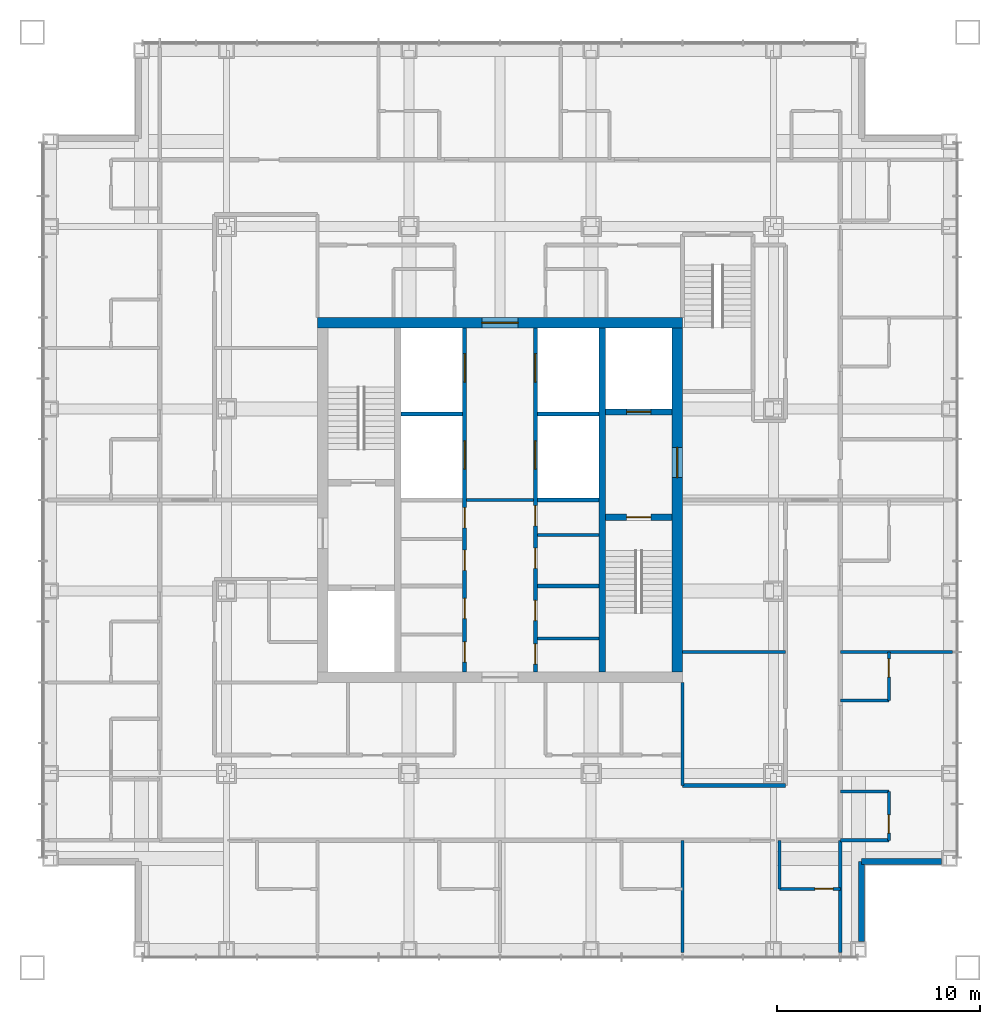
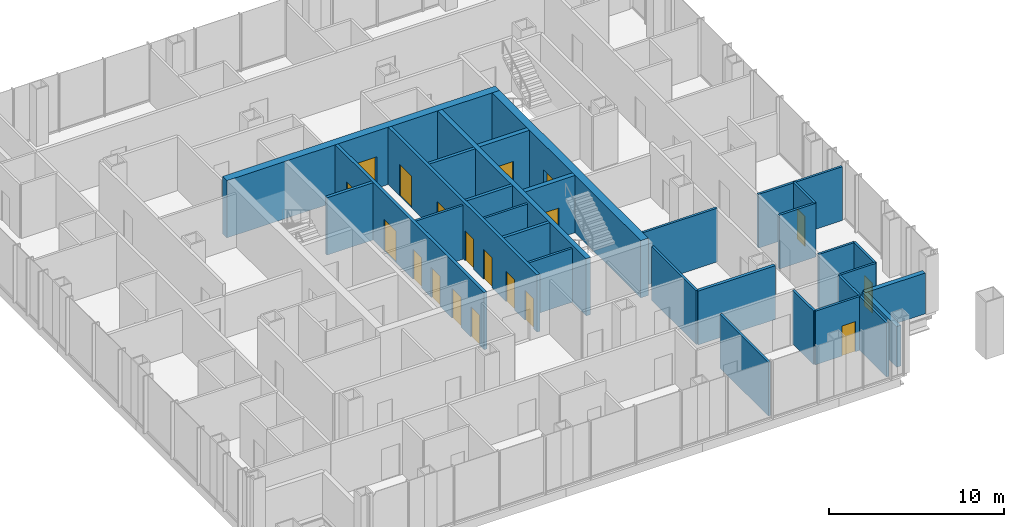
# One storey, part 8 of 11: 29 walls, 19 doors, 19 openings.
"""IFC4 building model written with IfcOpenShell, lengths in metres."""

from ifc_helpers import new_model, si_unit, direction, frame, frame_2d, origin, place, context, subcontext, project, spatial, rectangle, extrude, material, layer, layer_set, type_object, element, fill, save


model = new_model("IFC4")

# Units and contexts
model_context = context("Model", 3, precision=1e-05, world=origin(), true_north=direction((0.0, 1.0)))
body_context = subcontext(model_context, "Body", "Model", "MODEL_VIEW")
ifc_project = project(units=[si_unit("LENGTHUNIT", "METRE"), si_unit("AREAUNIT", "SQUARE_METRE"), si_unit("VOLUMEUNIT", "CUBIC_METRE"), si_unit("PLANEANGLEUNIT", "RADIAN"), si_unit("MASSUNIT", "GRAM", prefix="KILO")], contexts=[model_context])

# Site, building, storey
site_placement = place(None, origin())
site = spatial("IfcSite", under=ifc_project, at=site_placement, CompositionType="ELEMENT")
building_placement = place(site_placement, origin())
building = spatial("IfcBuilding", under=site, at=building_placement, Name="Malebo Sky Hospital", CompositionType="ELEMENT")
storey_placement = place(building_placement, frame((0.0, 0.0, 213.0)))
storey = spatial("IfcBuildingStorey", under=building, at=storey_placement, Name="L51", CompositionType="ELEMENT", Elevation=213.0)

# Wall, openings, doors
ifc_material_1 = material(Name="Concrete C80/95", Category="concrete")
ifc_layer_1 = layer(ifc_material_1, 0.199951171875)
ifc_layer_set_1 = layer_set([ifc_layer_1], Name="CORE INNER WALL 200")
wall_type_1 = type_object("IfcWallType", Name="CORE INNER WALL 200", PredefinedType="SHEAR", material=ifc_layer_set_1)
wall_1_placement = place(storey_placement, frame((58.25, 53.5, 0.0), z_axis=(0.0, 0.0, 1.0), x_axis=(0.0, 1.0, 0.0)))
wall_1 = element("IfcWall", 1, at=wall_1_placement, inside=storey, type_object=wall_type_1, Name="Core wall LW L51", PredefinedType="SHEAR", context=body_context, shape_type="SweptSolid", body=[
    extrude(rectangle(XDim=17.0, YDim=0.199951171875, at=frame_2d((8.5, 0.0))), origin(), (0.0, 0.0, 1.0), 4.0),
])
opening_1_placement = place(wall_1_placement, frame((0.49609375, 0.0, 0.0)))
opening_1 = element("IfcOpeningElement", 2, at=opening_1_placement, cuts=wall_1, Name="Opening D17", PredefinedType="OPENING", context=body_context, shape_type="SweptSolid", body=[
    extrude(rectangle(XDim=1.0, YDim=2.10009765625, at=frame_2d((0.5, 1.050048828125))), frame((0.0, 0.10986328125, 0.0), z_axis=(0.0, -1.0, 0.0), x_axis=(1.0, 0.0, 0.0)), (0.0, 0.0, 1.0), 0.219970703125),
])
opening_2_placement = place(wall_1_placement, frame((2.64599609375, 0.0, 0.0)))
opening_2 = element("IfcOpeningElement", 3, at=opening_2_placement, cuts=wall_1, Name="Opening D17", PredefinedType="OPENING", context=body_context, shape_type="SweptSolid", body=[
    extrude(rectangle(XDim=1.0, YDim=2.10009765625, at=frame_2d((0.5, 1.050048828125))), frame((0.0, 0.10986328125, 0.0), z_axis=(0.0, -1.0, 0.0), x_axis=(1.0, 0.0, 0.0)), (0.0, 0.0, 1.0), 0.219970703125),
])
opening_3_placement = place(wall_1_placement, frame((5.026611328125, 0.0, 0.0)))
opening_3 = element("IfcOpeningElement", 4, at=opening_3_placement, cuts=wall_1, Name="Opening D17", PredefinedType="OPENING", context=body_context, shape_type="SweptSolid", body=[
    extrude(rectangle(XDim=1.0, YDim=2.10009765625, at=frame_2d((0.5, 1.050048828125))), frame((0.0, 0.10986328125, 0.0), z_axis=(0.0, -1.0, 0.0), x_axis=(1.0, 0.0, 0.0)), (0.0, 0.0, 1.0), 0.219970703125),
])
opening_4_placement = place(wall_1_placement, frame((7.12646484375, 0.0, 0.0)))
opening_4 = element("IfcOpeningElement", 5, at=opening_4_placement, cuts=wall_1, Name="Opening D17", PredefinedType="OPENING", context=body_context, shape_type="SweptSolid", body=[
    extrude(rectangle(XDim=1.0, YDim=2.10009765625, at=frame_2d((0.5, 1.050048828125))), frame((0.0, 0.10986328125, 0.0), z_axis=(0.0, -1.0, 0.0), x_axis=(1.0, 0.0, 0.0)), (0.0, 0.0, 1.0), 0.219970703125),
])
opening_5_placement = place(wall_1_placement, frame((10.02490234375, 0.0, 0.0)))
opening_5 = element("IfcOpeningElement", 6, at=opening_5_placement, cuts=wall_1, Name="Opening LD1", PredefinedType="OPENING", context=body_context, shape_type="SweptSolid", body=[
    extrude(rectangle(XDim=1.39990234375, YDim=2.199951171875, at=frame_2d((0.699951171875, 1.10009765625))), frame((0.0, 0.10986328125, 0.0), z_axis=(0.0, -1.0, 0.0), x_axis=(1.0, 0.0, 0.0)), (0.0, 0.0, 1.0), 0.219970703125),
])
opening_6_placement = place(wall_1_placement, frame((14.324951171875, 0.0, 0.0)))
opening_6 = element("IfcOpeningElement", 7, at=opening_6_placement, cuts=wall_1, Name="Opening LD1", PredefinedType="OPENING", context=body_context, shape_type="SweptSolid", body=[
    extrude(rectangle(XDim=1.39990234375, YDim=2.199951171875, at=frame_2d((0.699951171875, 1.10009765625))), frame((0.0, 0.10986328125, 0.0), z_axis=(0.0, -1.0, 0.0), x_axis=(1.0, 0.0, 0.0)), (0.0, 0.0, 1.0), 0.219970703125),
])
ifc_material_2 = material(Name="Hardwood-faced door leaf in steel frame", Category="steel")
door_type_1 = type_object("IfcDoorType", Name="FIRE DOOR 1000", OperationType="SINGLE_SWING_LEFT", PredefinedType="DOOR", material=ifc_material_2)
door_1_placement = place(opening_1_placement, origin())
door_1 = element("IfcDoor", 8, at=door_1_placement, inside=storey, type_object=door_type_1, Name="Linen store door", OperationType="SINGLE_SWING_RIGHT", OverallHeight=2.10009765625, OverallWidth=1.0, PredefinedType="DOOR", context=body_context, shape_type="SweptSolid", body=[
    extrude(rectangle(XDim=1.0, YDim=2.10009765625, at=frame_2d((0.5, 1.050048828125))), frame((0.0, 0.02490234375, 0.0), z_axis=(0.0, -1.0, 0.0), x_axis=(1.0, 0.0, 0.0)), (0.0, 0.0, 1.0), 0.050048828125),
])
fill(opening_1, door_1)
door_2_placement = place(opening_2_placement, origin())
door_2 = element("IfcDoor", 9, at=door_2_placement, inside=storey, type_object=door_type_1, Name="Supplies store door", OperationType="SINGLE_SWING_RIGHT", OverallHeight=2.10009765625, OverallWidth=1.0, PredefinedType="DOOR", context=body_context, shape_type="SweptSolid", body=[
    extrude(rectangle(XDim=1.0, YDim=2.10009765625, at=frame_2d((0.5, 1.050048828125))), frame((0.0, 0.02490234375, 0.0), z_axis=(0.0, -1.0, 0.0), x_axis=(1.0, 0.0, 0.0)), (0.0, 0.0, 1.0), 0.050048828125),
])
fill(opening_2, door_2)
door_3_placement = place(opening_3_placement, origin())
door_3 = element("IfcDoor", 10, at=door_3_placement, inside=storey, type_object=door_type_1, Name="Mattress store door", OperationType="SINGLE_SWING_RIGHT", OverallHeight=2.10009765625, OverallWidth=1.0, PredefinedType="DOOR", context=body_context, shape_type="SweptSolid", body=[
    extrude(rectangle(XDim=1.0, YDim=2.10009765625, at=frame_2d((0.5, 1.050048828125))), frame((0.0, 0.02490234375, 0.0), z_axis=(0.0, -1.0, 0.0), x_axis=(1.0, 0.0, 0.0)), (0.0, 0.0, 1.0), 0.050048828125),
])
fill(opening_3, door_3)
door_4_placement = place(opening_4_placement, origin())
door_4 = element("IfcDoor", 11, at=door_4_placement, inside=storey, type_object=door_type_1, Name="Cleaning equipment store door", OperationType="SINGLE_SWING_RIGHT", OverallHeight=2.10009765625, OverallWidth=1.0, PredefinedType="DOOR", context=body_context, shape_type="SweptSolid", body=[
    extrude(rectangle(XDim=1.0, YDim=2.10009765625, at=frame_2d((0.5, 1.050048828125))), frame((0.0, 0.02490234375, 0.0), z_axis=(0.0, -1.0, 0.0), x_axis=(1.0, 0.0, 0.0)), (0.0, 0.0, 1.0), 0.050048828125),
])
fill(opening_4, door_4)
ifc_material_3 = material(Name="Stainless steel sliding landing door", Category="steel")
door_type_2 = type_object("IfcDoorType", Name="LIFT LANDING DOOR 1400", OperationType="SLIDING_TO_LEFT", PredefinedType="DOOR", material=ifc_material_3)
door_5_placement = place(opening_5_placement, origin())
door_5 = element("IfcDoor", 12, at=door_5_placement, inside=storey, type_object=door_type_2, Name="Lift W3 landing door", OperationType="SLIDING_TO_LEFT", OverallHeight=2.199951171875, OverallWidth=1.39990234375, PredefinedType="DOOR", context=body_context, shape_type="SweptSolid", body=[
    extrude(rectangle(XDim=1.39990234375, YDim=2.199951171875, at=frame_2d((0.699951171875, 1.10009765625))), frame((0.0, 0.02490234375, 0.0), z_axis=(0.0, -1.0, 0.0), x_axis=(1.0, 0.0, 0.0)), (0.0, 0.0, 1.0), 0.050048828125),
])
fill(opening_5, door_5)
door_6_placement = place(opening_6_placement, origin())
door_6 = element("IfcDoor", 13, at=door_6_placement, inside=storey, type_object=door_type_2, Name="Lift W4 landing door", OperationType="SLIDING_TO_LEFT", OverallHeight=2.199951171875, OverallWidth=1.39990234375, PredefinedType="DOOR", context=body_context, shape_type="SweptSolid", body=[
    extrude(rectangle(XDim=1.39990234375, YDim=2.199951171875, at=frame_2d((0.699951171875, 1.10009765625))), frame((0.0, 0.02490234375, 0.0), z_axis=(0.0, -1.0, 0.0), x_axis=(1.0, 0.0, 0.0)), (0.0, 0.0, 1.0), 0.050048828125),
])
fill(opening_6, door_6)

wall_2_placement = place(storey_placement, frame((61.75, 53.5, 0.0), z_axis=(0.0, 0.0, 1.0), x_axis=(0.0, 1.0, 0.0)))
wall_2 = element("IfcWall", 14, at=wall_2_placement, inside=storey, type_object=wall_type_1, Name="Core wall LE L51", PredefinedType="SHEAR", context=body_context, shape_type="SweptSolid", body=[
    extrude(rectangle(XDim=17.0, YDim=0.199951171875, at=frame_2d((8.5, 0.0))), origin(), (0.0, 0.0, 1.0), 4.0),
])
opening_7_placement = place(wall_2_placement, frame((0.392578125, 0.0, 0.0)))
opening_7 = element("IfcOpeningElement", 15, at=opening_7_placement, cuts=wall_2, Name="Opening D17", PredefinedType="OPENING", context=body_context, shape_type="SweptSolid", body=[
    extrude(rectangle(XDim=1.0, YDim=2.10009765625, at=frame_2d((0.5, 1.050048828125))), frame((0.0, 0.10986328125, 0.0), z_axis=(0.0, -1.0, 0.0), x_axis=(1.0, 0.0, 0.0)), (0.0, 0.0, 1.0), 0.219970703125),
])
opening_8_placement = place(wall_2_placement, frame((2.54248046875, 0.0, 0.0)))
opening_8 = element("IfcOpeningElement", 16, at=opening_8_placement, cuts=wall_2, Name="Opening D17", PredefinedType="OPENING", context=body_context, shape_type="SweptSolid", body=[
    extrude(rectangle(XDim=1.0, YDim=2.10009765625, at=frame_2d((0.5, 1.050048828125))), frame((0.0, 0.10986328125, 0.0), z_axis=(0.0, -1.0, 0.0), x_axis=(1.0, 0.0, 0.0)), (0.0, 0.0, 1.0), 0.219970703125),
])
opening_9_placement = place(wall_2_placement, frame((5.12744140625, 0.0, 0.0)))
opening_9 = element("IfcOpeningElement", 17, at=opening_9_placement, cuts=wall_2, Name="Opening D17", PredefinedType="OPENING", context=body_context, shape_type="SweptSolid", body=[
    extrude(rectangle(XDim=1.0, YDim=2.10009765625, at=frame_2d((0.5, 1.050048828125))), frame((0.0, 0.10986328125, 0.0), z_axis=(0.0, -1.0, 0.0), x_axis=(1.0, 0.0, 0.0)), (0.0, 0.0, 1.0), 0.219970703125),
])
opening_10_placement = place(wall_2_placement, frame((7.2275390625, 0.0, 0.0)))
opening_10 = element("IfcOpeningElement", 18, at=opening_10_placement, cuts=wall_2, Name="Opening D17", PredefinedType="OPENING", context=body_context, shape_type="SweptSolid", body=[
    extrude(rectangle(XDim=1.0, YDim=2.10009765625, at=frame_2d((0.5, 1.050048828125))), frame((0.0, 0.10986328125, 0.0), z_axis=(0.0, -1.0, 0.0), x_axis=(1.0, 0.0, 0.0)), (0.0, 0.0, 1.0), 0.219970703125),
])
opening_11_placement = place(wall_2_placement, frame((10.02490234375, 0.0, 0.0)))
opening_11 = element("IfcOpeningElement", 19, at=opening_11_placement, cuts=wall_2, Name="Opening LD1", PredefinedType="OPENING", context=body_context, shape_type="SweptSolid", body=[
    extrude(rectangle(XDim=1.39990234375, YDim=2.199951171875, at=frame_2d((0.699951171875, 1.10009765625))), frame((0.0, 0.10986328125, 0.0), z_axis=(0.0, -1.0, 0.0), x_axis=(1.0, 0.0, 0.0)), (0.0, 0.0, 1.0), 0.219970703125),
])
opening_12_placement = place(wall_2_placement, frame((14.324951171875, 0.0, 0.0)))
opening_12 = element("IfcOpeningElement", 20, at=opening_12_placement, cuts=wall_2, Name="Opening LD1", PredefinedType="OPENING", context=body_context, shape_type="SweptSolid", body=[
    extrude(rectangle(XDim=1.39990234375, YDim=2.199951171875, at=frame_2d((0.699951171875, 1.10009765625))), frame((0.0, 0.10986328125, 0.0), z_axis=(0.0, -1.0, 0.0), x_axis=(1.0, 0.0, 0.0)), (0.0, 0.0, 1.0), 0.219970703125),
])
door_7_placement = place(opening_7_placement, origin())
door_7 = element("IfcDoor", 21, at=door_7_placement, inside=storey, type_object=door_type_1, Name="Archive store door", OperationType="SINGLE_SWING_RIGHT", OverallHeight=2.10009765625, OverallWidth=1.0, PredefinedType="DOOR", context=body_context, shape_type="SweptSolid", body=[
    extrude(rectangle(XDim=1.0, YDim=2.10009765625, at=frame_2d((0.5, 1.050048828125))), frame((0.0, 0.02490234375, 0.0), z_axis=(0.0, -1.0, 0.0), x_axis=(1.0, 0.0, 0.0)), (0.0, 0.0, 1.0), 0.050048828125),
])
fill(opening_7, door_7)
door_8_placement = place(opening_8_placement, origin())
door_8 = element("IfcDoor", 22, at=door_8_placement, inside=storey, type_object=door_type_1, Name="General store door", OperationType="SINGLE_SWING_RIGHT", OverallHeight=2.10009765625, OverallWidth=1.0, PredefinedType="DOOR", context=body_context, shape_type="SweptSolid", body=[
    extrude(rectangle(XDim=1.0, YDim=2.10009765625, at=frame_2d((0.5, 1.050048828125))), frame((0.0, 0.02490234375, 0.0), z_axis=(0.0, -1.0, 0.0), x_axis=(1.0, 0.0, 0.0)), (0.0, 0.0, 1.0), 0.050048828125),
])
fill(opening_8, door_8)
door_9_placement = place(opening_9_placement, origin())
door_9 = element("IfcDoor", 23, at=door_9_placement, inside=storey, type_object=door_type_1, Name="Records store door", OperationType="SINGLE_SWING_RIGHT", OverallHeight=2.10009765625, OverallWidth=1.0, PredefinedType="DOOR", context=body_context, shape_type="SweptSolid", body=[
    extrude(rectangle(XDim=1.0, YDim=2.10009765625, at=frame_2d((0.5, 1.050048828125))), frame((0.0, 0.02490234375, 0.0), z_axis=(0.0, -1.0, 0.0), x_axis=(1.0, 0.0, 0.0)), (0.0, 0.0, 1.0), 0.050048828125),
])
fill(opening_9, door_9)
door_10_placement = place(opening_10_placement, origin())
door_10 = element("IfcDoor", 24, at=door_10_placement, inside=storey, type_object=door_type_1, Name="Equipment store door", OperationType="SINGLE_SWING_RIGHT", OverallHeight=2.10009765625, OverallWidth=1.0, PredefinedType="DOOR", context=body_context, shape_type="SweptSolid", body=[
    extrude(rectangle(XDim=1.0, YDim=2.10009765625, at=frame_2d((0.5, 1.050048828125))), frame((0.0, 0.02490234375, 0.0), z_axis=(0.0, -1.0, 0.0), x_axis=(1.0, 0.0, 0.0)), (0.0, 0.0, 1.0), 0.050048828125),
])
fill(opening_10, door_10)
door_11_placement = place(opening_11_placement, origin())
door_11 = element("IfcDoor", 25, at=door_11_placement, inside=storey, type_object=door_type_2, Name="Lift E3 landing door", OperationType="SLIDING_TO_LEFT", OverallHeight=2.199951171875, OverallWidth=1.39990234375, PredefinedType="DOOR", context=body_context, shape_type="SweptSolid", body=[
    extrude(rectangle(XDim=1.39990234375, YDim=2.199951171875, at=frame_2d((0.699951171875, 1.10009765625))), frame((0.0, 0.02490234375, 0.0), z_axis=(0.0, -1.0, 0.0), x_axis=(1.0, 0.0, 0.0)), (0.0, 0.0, 1.0), 0.050048828125),
])
fill(opening_11, door_11)
door_12_placement = place(opening_12_placement, origin())
door_12 = element("IfcDoor", 26, at=door_12_placement, inside=storey, type_object=door_type_2, Name="Lift E4 landing door", OperationType="SLIDING_TO_LEFT", OverallHeight=2.199951171875, OverallWidth=1.39990234375, PredefinedType="DOOR", context=body_context, shape_type="SweptSolid", body=[
    extrude(rectangle(XDim=1.39990234375, YDim=2.199951171875, at=frame_2d((0.699951171875, 1.10009765625))), frame((0.0, 0.02490234375, 0.0), z_axis=(0.0, -1.0, 0.0), x_axis=(1.0, 0.0, 0.0)), (0.0, 0.0, 1.0), 0.050048828125),
])
fill(opening_12, door_12)

# Walls
for number, where, z_axis, x_axis, name in (
    (27, (61.85009765625, 57.75, 0.0), (0.0, 0.0, 1.0), (1.0, 0.0, 0.0), "Core wall SE0 L51"),
    (28, (61.85009765625, 62.0, 0.0), (0.0, 0.0, 1.0), (1.0, 0.0, 0.0), "Core wall SE1 L51"),
    (29, (55.10009765625, 66.25, 0.0), (0.0, 0.0, 1.0), (1.0, 0.0, 0.0), "Core wall SW2 L51"),
    (30, (61.85009765625, 66.25, 0.0), (0.0, 0.0, 1.0), (1.0, 0.0, 0.0), "Core wall SE2 L51"),
):
    element("IfcWall", number, at=place(storey_placement, frame(where, z_axis=z_axis, x_axis=x_axis)), inside=storey, type_object=wall_type_1, Name=name, PredefinedType="SHEAR", context=body_context, shape_type="SweptSolid", body=[
        extrude(rectangle(XDim=3.0498046875, YDim=0.199951171875, at=frame_2d((1.52490234375, 0.0))), origin(), (0.0, 0.0, 1.0), 4.0),
    ])
ifc_layer_2 = layer(ifc_material_1, 0.300048828125)
ifc_layer_set_2 = layer_set([ifc_layer_2], Name="CORE INNER WALL 300")
wall_type_2 = type_object("IfcWallType", Name="CORE INNER WALL 300", PredefinedType="SHEAR", material=ifc_layer_set_2)
wall_3_placement = place(storey_placement, frame((65.050048828125, 53.5, 0.0), z_axis=(0.0, 0.0, 1.0), x_axis=(0.0, 1.0, 0.0)))
element("IfcWall", 31, at=wall_3_placement, inside=storey, type_object=wall_type_2, Name="Core wall XE L51", PredefinedType="SHEAR", context=body_context, shape_type="SweptSolid", body=[
    extrude(rectangle(XDim=17.0, YDim=0.300048828125, at=frame_2d((8.5, 0.0))), origin(), (0.0, 0.0, 1.0), 4.0),
])

# Wall, opening, door
wall_4_placement = place(storey_placement, frame((65.199951171875, 61.14990234375, 0.0), z_axis=(0.0, 0.0, 1.0), x_axis=(1.0, 0.0, 0.0)))
wall_4 = element("IfcWall", 32, at=wall_4_placement, inside=storey, type_object=wall_type_2, Name="Core wall E1 L51", PredefinedType="SHEAR", context=body_context, shape_type="SweptSolid", body=[
    extrude(rectangle(XDim=3.300048828125, YDim=0.300048828125, at=frame_2d((1.64990234375, 0.0))), origin(), (0.0, 0.0, 1.0), 4.0),
])
opening_13_placement = place(wall_4_placement, frame((1.050048828125, 0.0, 0.0)))
opening_13 = element("IfcOpeningElement", 33, at=opening_13_placement, cuts=wall_4, Name="Opening D08", PredefinedType="OPENING", context=body_context, shape_type="SweptSolid", body=[
    extrude(rectangle(XDim=1.199951171875, YDim=2.10009765625, at=frame_2d((0.60009765625, 1.050048828125))), frame((0.0, 0.159912109375, 0.0), z_axis=(0.0, -1.0, 0.0), x_axis=(1.0, 0.0, 0.0)), (0.0, 0.0, 1.0), 0.320068359375),
])
door_type_3 = type_object("IfcDoorType", Name="STAIR DOOR 1200", OperationType="SINGLE_SWING_LEFT", PredefinedType="DOOR", material=ifc_material_2)
door_13_placement = place(opening_13_placement, origin())
door_13 = element("IfcDoor", 34, at=door_13_placement, inside=storey, type_object=door_type_3, Name="Stair S2 door", OperationType="SINGLE_SWING_LEFT", OverallHeight=2.10009765625, OverallWidth=1.199951171875, PredefinedType="DOOR", context=body_context, shape_type="SweptSolid", body=[
    extrude(rectangle(XDim=1.199951171875, YDim=2.10009765625, at=frame_2d((0.60009765625, 1.050048828125))), frame((0.0, 0.02490234375, 0.0), z_axis=(0.0, -1.0, 0.0), x_axis=(1.0, 0.0, 0.0)), (0.0, 0.0, 1.0), 0.050048828125),
])
fill(opening_13, door_13)

wall_5_placement = place(storey_placement, frame((65.199951171875, 66.35009765625, 0.0), z_axis=(0.0, 0.0, 1.0), x_axis=(1.0, 0.0, 0.0)))
wall_5 = element("IfcWall", 35, at=wall_5_placement, inside=storey, type_object=wall_type_2, Name="Core wall E2 L51", PredefinedType="SHEAR", context=body_context, shape_type="SweptSolid", body=[
    extrude(rectangle(XDim=3.300048828125, YDim=0.300048828125, at=frame_2d((1.64990234375, 0.0))), origin(), (0.0, 0.0, 1.0), 4.0),
])
opening_14_placement = place(wall_5_placement, frame((1.050048828125, 0.0, 0.0)))
opening_14 = element("IfcOpeningElement", 36, at=opening_14_placement, cuts=wall_5, Name="Opening LD2", PredefinedType="OPENING", context=body_context, shape_type="SweptSolid", body=[
    extrude(rectangle(XDim=1.199951171875, YDim=2.199951171875, at=frame_2d((0.60009765625, 1.10009765625))), frame((0.0, 0.159912109375, 0.0), z_axis=(0.0, -1.0, 0.0), x_axis=(1.0, 0.0, 0.0)), (0.0, 0.0, 1.0), 0.320068359375),
])
door_type_4 = type_object("IfcDoorType", Name="FIRE-FIGHTING LIFT LANDING DOOR 1200", OperationType="SLIDING_TO_LEFT", PredefinedType="DOOR", material=ifc_material_3)
door_14_placement = place(opening_14_placement, origin())
door_14 = element("IfcDoor", 37, at=door_14_placement, inside=storey, type_object=door_type_4, Name="Lift FL2 landing door", OperationType="SLIDING_TO_LEFT", OverallHeight=2.199951171875, OverallWidth=1.199951171875, PredefinedType="DOOR", context=body_context, shape_type="SweptSolid", body=[
    extrude(rectangle(XDim=1.199951171875, YDim=2.199951171875, at=frame_2d((0.60009765625, 1.10009765625))), frame((0.0, 0.02490234375, 0.0), z_axis=(0.0, -1.0, 0.0), x_axis=(1.0, 0.0, 0.0)), (0.0, 0.0, 1.0), 0.050048828125),
])
fill(opening_14, door_14)

ifc_layer_3 = layer(ifc_material_1, 0.5)
ifc_layer_set_3 = layer_set([ifc_layer_3], Name="CORE WALL 500")
wall_type_3 = type_object("IfcWallType", Name="CORE WALL 500", PredefinedType="SHEAR", material=ifc_layer_set_3)
wall_6_placement = place(storey_placement, frame((51.0, 70.75, 0.0), z_axis=(0.0, 0.0, 1.0), x_axis=(1.0, 0.0, 0.0)))
wall_6 = element("IfcWall", 38, at=wall_6_placement, inside=storey, type_object=wall_type_3, Name="Core wall N L51", PredefinedType="SHEAR", context=body_context, shape_type="SweptSolid", body=[
    extrude(rectangle(XDim=18.0, YDim=0.5, at=frame_2d((9.0, 0.0))), origin(), (0.0, 0.0, 1.0), 4.0),
])
opening_15_placement = place(wall_6_placement, frame((8.10009765625, 0.0, 0.0)))
opening_15 = element("IfcOpeningElement", 39, at=opening_15_placement, cuts=wall_6, Name="Opening D06", PredefinedType="OPENING", context=body_context, shape_type="SweptSolid", body=[
    extrude(rectangle(XDim=1.800048828125, YDim=2.199951171875, at=frame_2d((0.89990234375, 1.10009765625))), frame((0.0, 0.260009765625, 0.0), z_axis=(0.0, -1.0, 0.0), x_axis=(1.0, 0.0, 0.0)), (0.0, 0.0, 1.0), 0.52001953125),
])
door_type_5 = type_object("IfcDoorType", Name="LOBBY DOOR PAIR 1800", OperationType="DOUBLE_DOOR_SINGLE_SWING", PredefinedType="DOOR", material=ifc_material_2)
door_15_placement = place(opening_15_placement, origin())
door_15 = element("IfcDoor", 40, at=door_15_placement, inside=storey, type_object=door_type_5, Name="Lift lobby door north", OperationType="DOUBLE_DOOR_SINGLE_SWING", OverallHeight=2.199951171875, OverallWidth=1.800048828125, PredefinedType="DOOR", context=body_context, shape_type="SweptSolid", body=[
    extrude(rectangle(XDim=1.800048828125, YDim=2.199951171875, at=frame_2d((0.89990234375, 1.10009765625))), frame((0.0, 0.02490234375, 0.0), z_axis=(0.0, -1.0, 0.0), x_axis=(1.0, 0.0, 0.0)), (0.0, 0.0, 1.0), 0.050048828125),
])
fill(opening_15, door_15)

wall_7_placement = place(storey_placement, frame((68.75, 53.5, 0.0), z_axis=(0.0, 0.0, 1.0), x_axis=(0.0, 1.0, 0.0)))
wall_7 = element("IfcWall", 41, at=wall_7_placement, inside=storey, type_object=wall_type_3, Name="Core wall E L51", PredefinedType="SHEAR", context=body_context, shape_type="SweptSolid", body=[
    extrude(rectangle(XDim=17.0, YDim=0.5, at=frame_2d((8.5, 0.0))), origin(), (0.0, 0.0, 1.0), 4.0),
])
opening_16_placement = place(wall_7_placement, frame((9.60009765625, 0.0, 0.0)))
opening_16 = element("IfcOpeningElement", 42, at=opening_16_placement, cuts=wall_7, Name="Opening D07", PredefinedType="OPENING", context=body_context, shape_type="SweptSolid", body=[
    extrude(rectangle(XDim=1.5, YDim=2.199951171875, at=frame_2d((0.75, 1.10009765625))), frame((0.0, 0.260009765625, 0.0), z_axis=(0.0, -1.0, 0.0), x_axis=(1.0, 0.0, 0.0)), (0.0, 0.0, 1.0), 0.52001953125),
])
door_type_6 = type_object("IfcDoorType", Name="FIRE-FIGHTING LOBBY DOOR PAIR 1500", OperationType="DOUBLE_DOOR_SINGLE_SWING", PredefinedType="DOOR", material=ifc_material_2)
door_16_placement = place(opening_16_placement, origin())
door_16 = element("IfcDoor", 43, at=door_16_placement, inside=storey, type_object=door_type_6, Name="Fire-fighting lobby door east", OperationType="DOUBLE_DOOR_SINGLE_SWING", OverallHeight=2.199951171875, OverallWidth=1.5, PredefinedType="DOOR", context=body_context, shape_type="SweptSolid", body=[
    extrude(rectangle(XDim=1.5, YDim=2.199951171875, at=frame_2d((0.75, 1.10009765625))), frame((0.0, 0.02490234375, 0.0), z_axis=(0.0, -1.0, 0.0), x_axis=(1.0, 0.0, 0.0)), (0.0, 0.0, 1.0), 0.050048828125),
])
fill(opening_16, door_16)

# Walls
ifc_material_4 = material(Name="Gypsum board on steel studs", Category="steel")
ifc_layer_4 = layer(ifc_material_4, 0.199951171875)
ifc_layer_set_4 = layer_set([ifc_layer_4], Name="CORRIDOR WALL 200")
wall_type_4 = type_object("IfcWallType", Name="CORRIDOR WALL 200", PredefinedType="PARTITIONING", material=ifc_layer_set_4)
wall_8_placement = place(storey_placement, frame((74.10009765625, 47.89990234375, 0.0), z_axis=(0.0, 0.0, 1.0), x_axis=(-1.0, 0.0, 0.0)))
element("IfcWall", 44, at=wall_8_placement, inside=storey, type_object=wall_type_4, Name="Corridor Wall 200 SCIK", PredefinedType="PARTITIONING", context=body_context, shape_type="SweptSolid", body=[
    extrude(rectangle(XDim=5.10009765625, YDim=0.199951171875, at=frame_2d((2.550048828125, 0.0))), origin(), (0.0, 0.0, 1.0), 3.75),
])
ifc_material_5 = material(Name="Anodised aluminium rainscreen on steel framing", Category="steel")
ifc_layer_5 = layer(ifc_material_5, 0.300048828125)
ifc_layer_set_5 = layer_set([ifc_layer_5], Name="NOTCH RAINSCREEN WALL 300")
wall_type_5 = type_object("IfcWallType", Name="NOTCH RAINSCREEN WALL 300", PredefinedType="ELEMENTEDWALL", material=ifc_layer_set_5)
for number, where, z_axis, x_axis, name in (
    (45, (81.800048828125, 44.14990234375, 0.0), (0.0, 0.0, 1.0), (-1.0, 0.0, 0.0), "Notch rainscreen wall E1 L51"),
    (46, (77.85009765625, 44.14990234375, 0.0), (0.0, 0.0, 1.0), (0.0, -1.0, 0.0), "Notch rainscreen wall E2 L51"),
):
    element("IfcWall", number, at=place(storey_placement, frame(where, z_axis=z_axis, x_axis=x_axis)), inside=storey, type_object=wall_type_5, Name=name, PredefinedType="ELEMENTEDWALL", context=body_context, shape_type="SweptSolid", body=[
        extrude(rectangle(XDim=3.949951171875, YDim=0.300048828125, at=frame_2d((1.97509765625, 0.0))), origin(), (0.0, 0.0, 1.0), 2.85009765625),
    ])
ifc_layer_6 = layer(ifc_material_4, 0.14990234375)
ifc_layer_set_6 = layer_set([ifc_layer_6], Name="PARTITION 150")
wall_type_6 = type_object("IfcWallType", Name="PARTITION 150", PredefinedType="PARTITIONING", material=ifc_layer_set_6)
for number, where, z_axis, x_axis, name in (
    (47, (69.0, 45.199951171875, 0.0), (0.0, 0.0, 1.0), (0.0, -1.0, 0.0), "Partition 150 SP-9.0"),
    (48, (76.800048828125, 45.199951171875, 0.0), (0.0, 0.0, 1.0), (0.0, -1.0, 0.0), "Partition 150 SP0"),
):
    element("IfcWall", number, at=place(storey_placement, frame(where, z_axis=z_axis, x_axis=x_axis)), inside=storey, type_object=wall_type_6, Name=name, PredefinedType="PARTITIONING", context=body_context, shape_type="SweptSolid", body=[
        extrude(rectangle(XDim=5.550048828125, YDim=0.14990234375, at=frame_2d((2.77490234375, 0.0))), origin(), (0.0, 0.0, 1.0), 3.75),
    ])

# Wall, opening, door
wall_9_placement = place(storey_placement, frame((76.800048828125, 42.800048828125, 0.0), z_axis=(0.0, 0.0, 1.0), x_axis=(-1.0, 0.0, 0.0)))
wall_9 = element("IfcWall", 49, at=wall_9_placement, inside=storey, type_object=wall_type_6, Name="Partition 150 SE0F", PredefinedType="PARTITIONING", context=body_context, shape_type="SweptSolid", body=[
    extrude(rectangle(XDim=3.0, YDim=0.14990234375, at=frame_2d((1.5, 0.0))), origin(), (0.0, 0.0, 1.0), 3.75),
])
opening_17_placement = place(wall_9_placement, frame((0.35009765625, 0.0, 0.0)))
opening_17 = element("IfcOpeningElement", 50, at=opening_17_placement, cuts=wall_9, Name="Opening D02", PredefinedType="OPENING", context=body_context, shape_type="SweptSolid", body=[
    extrude(rectangle(XDim=0.89990234375, YDim=2.10009765625, at=frame_2d((0.449951171875, 1.050048828125))), frame((0.0, 0.0849609375, 0.0), z_axis=(0.0, -1.0, 0.0), x_axis=(1.0, 0.0, 0.0)), (0.0, 0.0, 1.0), 0.169921875),
])
door_type_7 = type_object("IfcDoorType", Name="EN-SUITE DOOR 900", OperationType="SINGLE_SWING_LEFT", PredefinedType="DOOR", material=ifc_material_2)
door_17_placement = place(opening_17_placement, origin())
door_17 = element("IfcDoor", 51, at=door_17_placement, inside=storey, type_object=door_type_7, Name="En-suite door", OperationType="SINGLE_SWING_LEFT", OverallHeight=2.10009765625, OverallWidth=0.89990234375, PredefinedType="DOOR", context=body_context, shape_type="SweptSolid", body=[
    extrude(rectangle(XDim=0.89990234375, YDim=2.10009765625, at=frame_2d((0.449951171875, 1.050048828125))), frame((0.0, 0.02490234375, 0.0), z_axis=(0.0, -1.0, 0.0), x_axis=(1.0, 0.0, 0.0)), (0.0, 0.0, 1.0), 0.050048828125),
])
fill(opening_17, door_17)

# Walls
wall_10_placement = place(storey_placement, frame((73.800048828125, 45.199951171875, 0.0), z_axis=(0.0, 0.0, 1.0), x_axis=(0.0, -1.0, 0.0)))
element("IfcWall", 52, at=wall_10_placement, inside=storey, type_object=wall_type_6, Name="Partition 150 SE0S", PredefinedType="PARTITIONING", context=body_context, shape_type="SweptSolid", body=[
    extrude(rectangle(XDim=2.39990234375, YDim=0.14990234375, at=frame_2d((1.199951171875, 0.0))), origin(), (0.0, 0.0, 1.0), 3.75),
])
wall_11_placement = place(storey_placement, frame((69.0, 53.0, 0.0), z_axis=(0.0, 0.0, 1.0), x_axis=(0.0, -1.0, 0.0)))
element("IfcWall", 53, at=wall_11_placement, inside=storey, type_object=wall_type_6, Name="Partition 150 SSP0", PredefinedType="PARTITIONING", context=body_context, shape_type="SweptSolid", body=[
    extrude(rectangle(XDim=5.10009765625, YDim=0.14990234375, at=frame_2d((2.550048828125, 0.0))), origin(), (0.0, 0.0, 1.0), 3.75),
])
wall_12_placement = place(storey_placement, frame((76.800048828125, 54.5, 0.0), z_axis=(0.0, 0.0, 1.0), x_axis=(1.0, 0.0, 0.0)))
element("IfcWall", 54, at=wall_12_placement, inside=storey, type_object=wall_type_6, Name="Partition 150 EP+7.5", PredefinedType="PARTITIONING", context=body_context, shape_type="SweptSolid", body=[
    extrude(rectangle(XDim=5.550048828125, YDim=0.14990234375, at=frame_2d((2.77490234375, 0.0))), origin(), (0.0, 0.0, 1.0), 3.75),
])

# Wall, opening, door
wall_13_placement = place(storey_placement, frame((79.199951171875, 54.5, 0.0), z_axis=(0.0, 0.0, 1.0), x_axis=(0.0, -1.0, 0.0)))
wall_13 = element("IfcWall", 55, at=wall_13_placement, inside=storey, type_object=wall_type_6, Name="Partition 150 EE4F", PredefinedType="PARTITIONING", context=body_context, shape_type="SweptSolid", body=[
    extrude(rectangle(XDim=2.39990234375, YDim=0.14990234375, at=frame_2d((1.199951171875, 0.0))), origin(), (0.0, 0.0, 1.0), 3.75),
])
opening_18_placement = place(wall_13_placement, frame((0.35009765625, 0.0, 0.0)))
opening_18 = element("IfcOpeningElement", 56, at=opening_18_placement, cuts=wall_13, Name="Opening D02", PredefinedType="OPENING", context=body_context, shape_type="SweptSolid", body=[
    extrude(rectangle(XDim=0.89990234375, YDim=2.10009765625, at=frame_2d((0.449951171875, 1.050048828125))), frame((0.0, 0.0849609375, 0.0), z_axis=(0.0, -1.0, 0.0), x_axis=(1.0, 0.0, 0.0)), (0.0, 0.0, 1.0), 0.169921875),
])
door_18_placement = place(opening_18_placement, origin())
door_18 = element("IfcDoor", 57, at=door_18_placement, inside=storey, type_object=door_type_7, Name="En-suite door", OperationType="SINGLE_SWING_LEFT", OverallHeight=2.10009765625, OverallWidth=0.89990234375, PredefinedType="DOOR", context=body_context, shape_type="SweptSolid", body=[
    extrude(rectangle(XDim=0.89990234375, YDim=2.10009765625, at=frame_2d((0.449951171875, 1.050048828125))), frame((0.0, 0.02490234375, 0.0), z_axis=(0.0, -1.0, 0.0), x_axis=(1.0, 0.0, 0.0)), (0.0, 0.0, 1.0), 0.050048828125),
])
fill(opening_18, door_18)

# Wall
wall_14_placement = place(storey_placement, frame((76.800048828125, 52.10009765625, 0.0), z_axis=(0.0, 0.0, 1.0), x_axis=(1.0, 0.0, 0.0)))
element("IfcWall", 58, at=wall_14_placement, inside=storey, type_object=wall_type_6, Name="Partition 150 EE4S", PredefinedType="PARTITIONING", context=body_context, shape_type="SweptSolid", body=[
    extrude(rectangle(XDim=2.39990234375, YDim=0.14990234375, at=frame_2d((1.199951171875, 0.0))), origin(), (0.0, 0.0, 1.0), 3.75),
])

# Wall, opening, door
wall_15_placement = place(storey_placement, frame((79.199951171875, 47.60009765625, 0.0), z_axis=(0.0, 0.0, 1.0), x_axis=(0.0, -1.0, 0.0)))
wall_15 = element("IfcWall", 59, at=wall_15_placement, inside=storey, type_object=wall_type_6, Name="Partition 150 EG4F", PredefinedType="PARTITIONING", context=body_context, shape_type="SweptSolid", body=[
    extrude(rectangle(XDim=2.400146484375, YDim=0.14990234375, at=frame_2d((1.2001953125, 0.0))), origin(), (0.0, 0.0, 1.0), 3.75),
])
opening_19_placement = place(wall_15_placement, frame((1.14990234375, 0.0, 0.0)))
opening_19 = element("IfcOpeningElement", 60, at=opening_19_placement, cuts=wall_15, Name="Opening D02", PredefinedType="OPENING", context=body_context, shape_type="SweptSolid", body=[
    extrude(rectangle(XDim=0.89990234375, YDim=2.10009765625, at=frame_2d((0.449951171875, 1.050048828125))), frame((0.0, 0.0849609375, 0.0), z_axis=(0.0, -1.0, 0.0), x_axis=(1.0, 0.0, 0.0)), (0.0, 0.0, 1.0), 0.169921875),
])
door_19_placement = place(opening_19_placement, origin())
door_19 = element("IfcDoor", 61, at=door_19_placement, inside=storey, type_object=door_type_7, Name="En-suite door", OperationType="SINGLE_SWING_RIGHT", OverallHeight=2.10009765625, OverallWidth=0.89990234375, PredefinedType="DOOR", context=body_context, shape_type="SweptSolid", body=[
    extrude(rectangle(XDim=0.89990234375, YDim=2.10009765625, at=frame_2d((0.449951171875, 1.050048828125))), frame((0.0, 0.02490234375, 0.0), z_axis=(0.0, -1.0, 0.0), x_axis=(1.0, 0.0, 0.0)), (0.0, 0.0, 1.0), 0.050048828125),
])
fill(opening_19, door_19)

# Walls
for number, where, z_axis, x_axis, name in (
    (62, (76.800048828125, 47.60009765625, 0.0), (0.0, 0.0, 1.0), (1.0, 0.0, 0.0), "Partition 150 EG4S"),
    (63, (76.800048828125, 45.199951171875, 0.0), (0.0, 0.0, 1.0), (1.0, 0.0, 0.0), "Partition 150 EEZ"),
):
    element("IfcWall", number, at=place(storey_placement, frame(where, z_axis=z_axis, x_axis=x_axis)), inside=storey, type_object=wall_type_6, Name=name, PredefinedType="PARTITIONING", context=body_context, shape_type="SweptSolid", body=[
        extrude(rectangle(XDim=2.39990234375, YDim=0.14990234375, at=frame_2d((1.199951171875, 0.0))), origin(), (0.0, 0.0, 1.0), 3.75),
    ])
wall_16_placement = place(storey_placement, frame((69.0, 54.5, 0.0), z_axis=(0.0, 0.0, 1.0), x_axis=(1.0, 0.0, 0.0)))
element("IfcWall", 64, at=wall_16_placement, inside=storey, type_object=wall_type_6, Name="Partition 150 ESP+7.5", PredefinedType="PARTITIONING", context=body_context, shape_type="SweptSolid", body=[
    extrude(rectangle(XDim=5.10009765625, YDim=0.14990234375, at=frame_2d((2.550048828125, 0.0))), origin(), (0.0, 0.0, 1.0), 3.75),
])
for number, where, z_axis, x_axis, name in (
    (65, (61.85009765625, 55.159912109375, 0.0), (0.0, 0.0, 1.0), (1.0, 0.0, 0.0), "Partition 150 SHE1"),
    (66, (61.85009765625, 60.280029296875, 0.0), (0.0, 0.0, 1.0), (1.0, 0.0, 0.0), "Partition 150 SHE2"),
):
    element("IfcWall", number, at=place(storey_placement, frame(where, z_axis=z_axis, x_axis=x_axis)), inside=storey, type_object=wall_type_6, Name=name, PredefinedType="PARTITIONING", context=body_context, shape_type="SweptSolid", body=[
        extrude(rectangle(XDim=3.0498046875, YDim=0.14990234375, at=frame_2d((1.52490234375, 0.0))), origin(), (0.0, 0.0, 1.0), 3.75),
    ])
wall_17_placement = place(storey_placement, frame((58.35009765625, 62.0, 0.0), z_axis=(0.0, 0.0, 1.0), x_axis=(1.0, 0.0, 0.0)))
element("IfcWall", 67, at=wall_17_placement, inside=storey, type_object=wall_type_6, Name="Partition 150 LBS", PredefinedType="PARTITIONING", context=body_context, shape_type="SweptSolid", body=[
    extrude(rectangle(XDim=3.2998046875, YDim=0.14990234375, at=frame_2d((1.64990234375, 0.0))), origin(), (0.0, 0.0, 1.0), 3.75),
])

save(model, "model.ifc")
